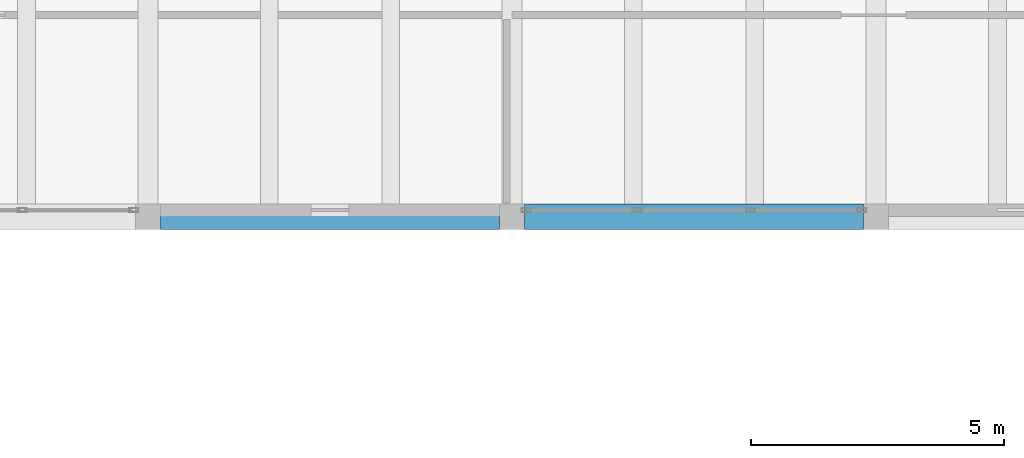
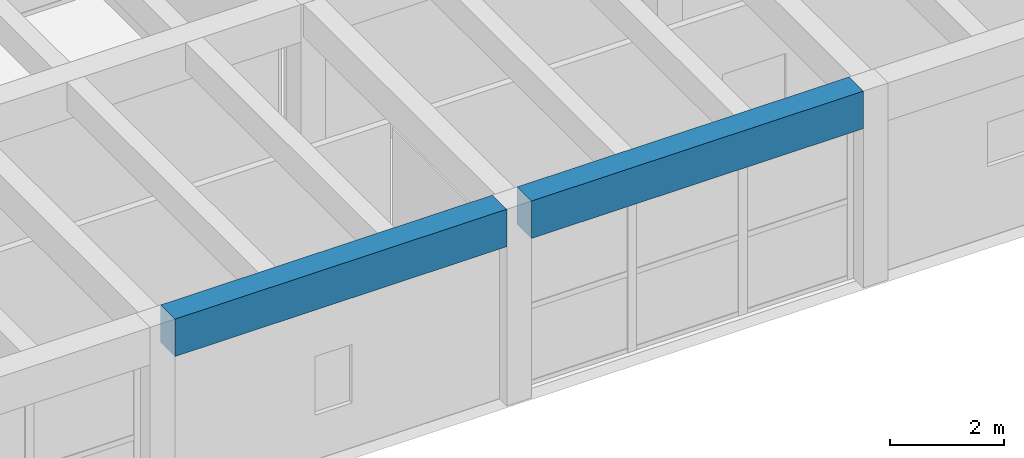
# One storey, part 104 of 153: 2 beams.
"""IFC4 building model written with IfcOpenShell, lengths in metres."""

import ifcopenshell
import ifcopenshell.guid

model = None  # the IFC model being written
_history = None  # IfcOwnerHistory: only IFC2X3 demands one
_inside = {}  # id of a spatial element -> (the spatial element, [elements in it])
_under = {}  # id of a project, library or spatial element -> (it, [spatial elements below it])
_declared = {}  # id of a project -> (the project, [libraries it declares])
_typed = {}  # id of a type object -> (the type object, [elements of that type])
_made_of = {}  # id of a material, layer set ... -> (it, [elements and type objects made of it])


def new_model(schema):
    """Start an empty IFC model of exactly this schema.

    Asked for "IFC4X3", IfcOpenShell would pick the latest addendum, in which some entities
    have other attributes; the version numbers below select the first issue.
    IFC2X3 requires an IfcOwnerHistory on every rooted entity: one is made here for all.
    """
    global model, _history
    if schema == "IFC4X3":
        model = ifcopenshell.file(schema_version=(4, 3, 0, 0))
    else:
        model = ifcopenshell.file(schema=schema)
    _inside.clear()
    _under.clear()
    _declared.clear()
    _typed.clear()
    _made_of.clear()
    _history = None
    if model.schema == "IFC2X3":
        org = make("IfcOrganization", Name="unknown")
        user = make(
            "IfcPersonAndOrganization",
            ThePerson=make("IfcPerson", FamilyName="unknown"),
            TheOrganization=org,
        )
        app = make(
            "IfcApplication",
            ApplicationDeveloper=org,
            Version="unknown",
            ApplicationFullName="unknown",
            ApplicationIdentifier="unknown",
        )
        _history = make(
            "IfcOwnerHistory",
            OwningUser=user,
            OwningApplication=app,
            ChangeAction="ADDED",
            CreationDate=0,
        )
    return model


def make(cls, **values):
    """One entity of the class cls with the attributes given. An attribute that is None is left unset."""
    return model.create_entity(
        cls, **{name: value for name, value in values.items() if value is not None}
    )


def rooted(cls, **values):
    """An entity with a GlobalId (a new one), such as an element, a storey or a relation."""
    return make(cls, GlobalId=ifcopenshell.guid.new(), OwnerHistory=_history, **values)


def si_unit(unit_type, name, prefix=None):
    """IfcSIUnit, for example si_unit("LENGTHUNIT", "METRE", prefix="MILLI")."""
    return make("IfcSIUnit", UnitType=unit_type, Prefix=prefix, Name=name)


def assignment(units):
    """IfcUnitAssignment: the units of a project."""
    return None if units is None else make("IfcUnitAssignment", Units=units)


def point(xyz):
    """IfcCartesianPoint."""
    return None if xyz is None else make("IfcCartesianPoint", Coordinates=xyz)


def direction(xyz):
    """IfcDirection."""
    return None if xyz is None else make("IfcDirection", DirectionRatios=xyz)


def frame(location, z_axis=None, x_axis=None):
    """IfcAxis2Placement3D, a coordinate frame: its origin and axes. An axis left out is left unset."""
    return make(
        "IfcAxis2Placement3D",
        Location=point(location),
        Axis=direction(z_axis),
        RefDirection=direction(x_axis),
    )


def frame_2d(location, x_axis=None):
    """IfcAxis2Placement2D, a coordinate frame in the plane: its origin and x axis."""
    return make(
        "IfcAxis2Placement2D", Location=point(location), RefDirection=direction(x_axis)
    )


def origin():
    """The frame at (0, 0, 0) with its axes left unset."""
    return frame((0.0, 0.0, 0.0))


def origin_2d():
    """The frame at (0, 0) in the plane with its x axis left unset."""
    return frame_2d((0.0, 0.0))


def place(relative_to, where):
    """IfcLocalPlacement: puts the frame where relative to a parent placement (None: the world)."""
    return make(
        "IfcLocalPlacement", PlacementRelTo=relative_to, RelativePlacement=where
    )


def context(
    kind, dimensions, precision=None, world=None, true_north=None, identifier=None
):
    """IfcGeometricRepresentationContext, for example the 3D "Model" context."""
    return make(
        "IfcGeometricRepresentationContext",
        ContextIdentifier=identifier,
        ContextType=kind,
        CoordinateSpaceDimension=dimensions,
        Precision=precision,
        WorldCoordinateSystem=world,
        TrueNorth=true_north,
    )


def subcontext(parent, identifier, kind, view, scale=None):
    """IfcGeometricRepresentationSubContext, for example "Body" below "Model"."""
    return make(
        "IfcGeometricRepresentationSubContext",
        ContextIdentifier=identifier,
        ContextType=kind,
        ParentContext=parent,
        TargetScale=scale,
        TargetView=view,
    )


def project(units=None, contexts=None):
    """IfcProject with its units and contexts."""
    return rooted(
        "IfcProject",
        Name="project",
        RepresentationContexts=contexts,
        UnitsInContext=assignment(units),
    )


def spatial(cls, under=None, at=None, **own):
    """A site, building, storey or space (cls), placed at a placement, below another one or the project."""
    s = rooted(cls, ObjectPlacement=at, **own)
    if under is not None:
        _under.setdefault(under.id(), (under, []))[1].append(s)
    return s


def profile(cls, at=None, kind="AREA", **sizes):
    """A parametric profile (cls). Its sizes go by their IFC names, for example OverallWidth=200.0."""
    return make(cls, ProfileType=kind, Position=at, **sizes)


def rectangle(**sizes):
    """IfcRectangleProfileDef."""
    return profile("IfcRectangleProfileDef", **sizes)


def extrude(swept, where, along, depth):
    """IfcExtrudedAreaSolid: the profile swept, set in the frame where, extruded along a direction by depth."""
    return make(
        "IfcExtrudedAreaSolid",
        SweptArea=swept,
        Position=where,
        ExtrudedDirection=direction(along),
        Depth=depth,
    )


def shape(context_of_items, identifier, shape_type, items):
    """IfcShapeRepresentation: the items that make up one representation, for example the "Body"."""
    return make(
        "IfcShapeRepresentation",
        ContextOfItems=context_of_items,
        RepresentationIdentifier=identifier,
        RepresentationType=shape_type,
        Items=items,
    )


def material(Name=None, Category=None):
    """IfcMaterial."""
    return make("IfcMaterial", Name=Name, Category=Category)


def material_profile(
    of_material, cross_section, Name=None, Category=None, Priority=None
):
    """IfcMaterialProfile: a cross section and its material."""
    return make(
        "IfcMaterialProfile",
        Name=Name,
        Material=of_material,
        Profile=cross_section,
        Priority=Priority,
        Category=Category,
    )


def profile_set(profiles, Name=None, composite=None):
    """IfcMaterialProfileSet."""
    return make(
        "IfcMaterialProfileSet",
        Name=Name,
        MaterialProfiles=profiles,
        CompositeProfile=composite,
    )


def made_of(thing, what):
    """Note that an element or type object is made of a material, layer set ...; save() writes the relation."""
    if what is not None:
        _made_of.setdefault(what.id(), (what, []))[1].append(thing)
    return thing


def type_object(cls, material=None, **own):
    """A type object (cls), such as IfcWallType, which elements share."""
    return made_of(rooted(cls, **own), material)


def element(
    cls,
    number,
    at=None,
    inside=None,
    cuts=None,
    type_object=None,
    material=None,
    context=None,
    identifier="Body",
    shape_type=None,
    held_by="IfcProductDefinitionShape",
    body=None,
    shapes=None,
    **own,
):
    """One element of the class cls, such as IfcWall. Its Tag is "e" and its number.

    at: its placement. inside: the storey or other place that contains it. cuts: it is an
    opening in that element (IfcRelVoidsElement). A single representation is given by context,
    identifier, shape_type and body (its items); several are given by shapes. held_by: the class
    of the entity that holds the representations. save() writes the other relations.
    """
    e = rooted(cls, Tag="e%d" % number, ObjectPlacement=at, **own)
    if body is not None:
        shapes = [shape(context, identifier, shape_type, body)]
    if shapes is not None:
        e.Representation = make(held_by, Representations=shapes)
    if inside is not None:
        _inside.setdefault(inside.id(), (inside, []))[1].append(e)
    if cuts is not None:
        rooted(
            "IfcRelVoidsElement", RelatingBuildingElement=cuts, RelatedOpeningElement=e
        )
    if type_object is not None:
        _typed.setdefault(type_object.id(), (type_object, []))[1].append(e)
    return made_of(e, material)


def aggregate(whole, parts):
    """IfcRelAggregates: a whole, such as a stair, and the parts it consists of."""
    return rooted("IfcRelAggregates", RelatingObject=whole, RelatedObjects=parts)


def save(model, path):
    """Write the relations noted so far, then the file.

    IfcRelAggregates (storeys below a building ...), IfcRelContainedInSpatialStructure (elements
    in a storey), IfcRelDefinesByType, IfcRelAssociatesMaterial and IfcRelDeclares: one each for
    every whole, place, type object, material and project.
    """
    for whole, parts in _under.values():
        aggregate(whole, parts)
    for where, things in _inside.values():
        rooted(
            "IfcRelContainedInSpatialStructure",
            RelatedElements=things,
            RelatingStructure=where,
        )
    for kind, things in _typed.values():
        rooted("IfcRelDefinesByType", RelatedObjects=things, RelatingType=kind)
    for what, things in _made_of.values():
        rooted("IfcRelAssociatesMaterial", RelatedObjects=things, RelatingMaterial=what)
    for by, libraries in _declared.values():
        rooted("IfcRelDeclares", RelatingContext=by, RelatedDefinitions=libraries)
    model.write(path)


model = new_model("IFC4")

# Units and contexts
model_context = context("Model", 3, precision=1e-05, world=origin(), true_north=direction((0.0, 1.0)))
body_context = subcontext(model_context, "Body", "Model", "MODEL_VIEW")
ifc_project = project(units=[si_unit("LENGTHUNIT", "METRE"), si_unit("AREAUNIT", "SQUARE_METRE"), si_unit("VOLUMEUNIT", "CUBIC_METRE"), si_unit("PLANEANGLEUNIT", "RADIAN"), si_unit("MASSUNIT", "GRAM", prefix="KILO")], contexts=[model_context])

# Site, building, storey
site_placement = place(None, origin())
site = spatial("IfcSite", under=ifc_project, at=site_placement, CompositionType="ELEMENT")
building_placement = place(site_placement, origin())
building = spatial("IfcBuilding", under=site, at=building_placement, Name="Bramvelor Terrace Health Centre", CompositionType="ELEMENT")
storey_placement = place(building_placement, frame((0.0, 0.0, 4.800048828125)))
storey = spatial("IfcBuildingStorey", under=building, at=storey_placement, Name="L02", CompositionType="ELEMENT", Elevation=4.800048828125)

# Beams
ifc_material = material(Name="Concrete C40/50", Category="concrete")
ifc_material_profile = material_profile(ifc_material, rectangle(XDim=0.5, YDim=0.800048828125, at=origin_2d()), Name="RC 500x800")
ifc_profile_set = profile_set([ifc_material_profile], Name="Concrete C40/50")
beam_type = type_object("IfcBeamType", Name="BM-RC-G800", PredefinedType="BEAM", material=ifc_profile_set)
for number, where, z_axis, x_axis, name in (
    (1, (129.85009765625, 50.39990234375, 3.800048828125), (1.0, 0.0, 0.0), (0.0, 1.0, 0.0), "L02 Floor Girder"),
    (2, (137.050048828125, 50.39990234375, 3.800048828125), (1.0, 0.0, 0.0), (0.0, 1.0, 0.0), "L02 Floor Girder"),
):
    element("IfcBeam", number, at=place(storey_placement, frame(where, z_axis=z_axis, x_axis=x_axis)), inside=storey, type_object=beam_type, Name=name, PredefinedType="BEAM", context=body_context, shape_type="SweptSolid", body=[
        extrude(rectangle(XDim=0.5, YDim=0.800048828125, at=origin_2d()), origin(), (0.0, 0.0, 1.0), 6.699951171875),
    ])

save(model, "model.ifc")
